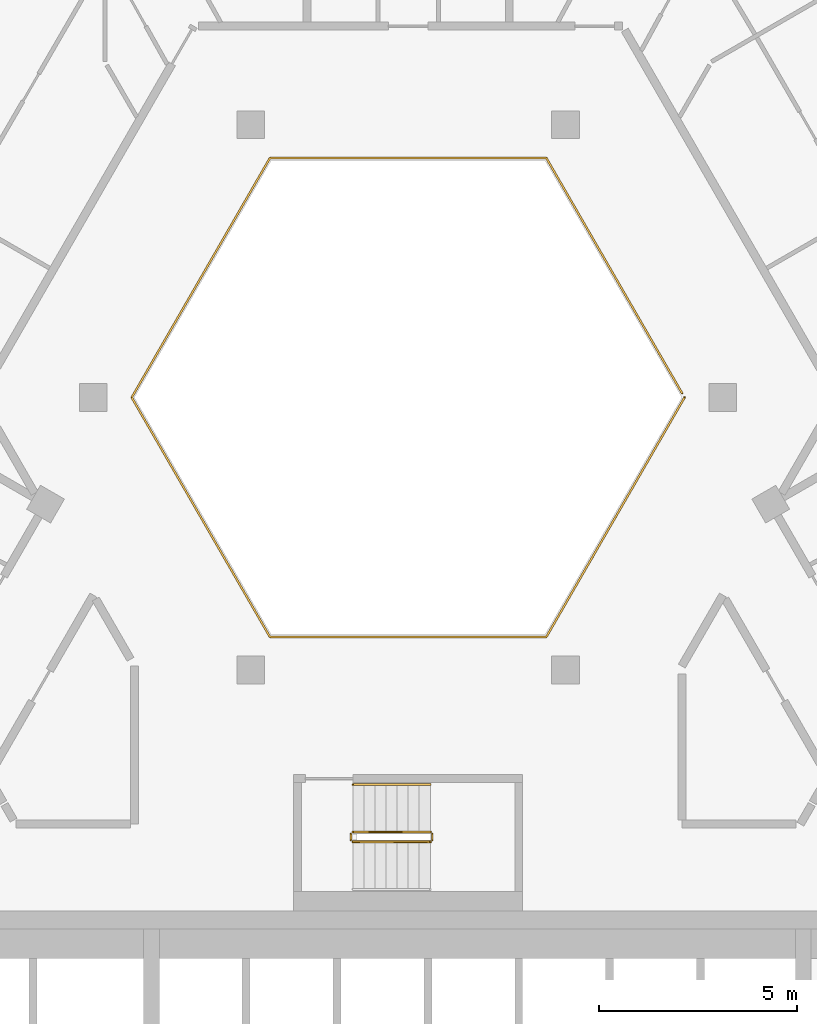
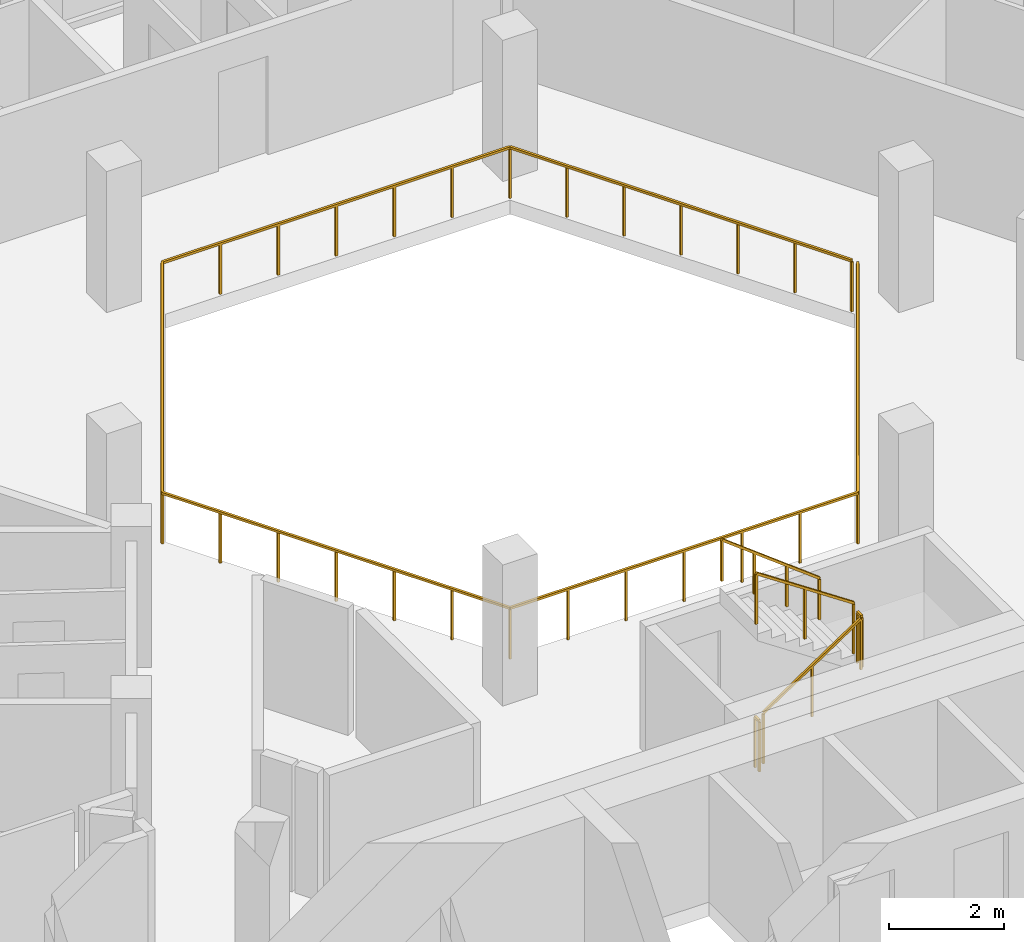
# One storey, part 13 of 15: 6 railings.
"""IFC4 building model written with IfcOpenShell, lengths in metres."""

from ifc_helpers import new_model, si_unit, direction, frame, origin, origin_2d, place, context, subcontext, project, spatial, rectangle, extrude, material, type_object, element, save


model = new_model("IFC4")

# Units and contexts
model_context = context("Model", 3, precision=1e-05, world=origin(), true_north=direction((0.0, 1.0)))
body_context = subcontext(model_context, "Body", "Model", "MODEL_VIEW")
ifc_project = project(units=[si_unit("LENGTHUNIT", "METRE"), si_unit("AREAUNIT", "SQUARE_METRE"), si_unit("VOLUMEUNIT", "CUBIC_METRE"), si_unit("PLANEANGLEUNIT", "RADIAN"), si_unit("MASSUNIT", "GRAM", prefix="KILO")], contexts=[model_context])

# Site, building, storey
site_placement = place(None, origin())
site = spatial("IfcSite", under=ifc_project, at=site_placement, CompositionType="ELEMENT")
building_placement = place(site_placement, origin())
building = spatial("IfcBuilding", under=site, at=building_placement, Name="Beryl Residences", CompositionType="ELEMENT")
storey_placement = place(building_placement, frame((0.0, 0.0, 205.800048828125)))
storey = spatial("IfcBuildingStorey", under=building, at=storey_placement, Name="L63", CompositionType="ELEMENT", Elevation=205.800048828125)

# Railings
ifc_material_1 = material(Name="Stainless steel balustrade with glass infill", Category="steel")
railing_type_1 = type_object("IfcRailingType", Name="EG1 edge guard 1100 mm", PredefinedType="GUARDRAIL", material=ifc_material_1)
railing_1_placement = place(storey_placement, frame((6.9970703125, 8.0, 0.0)))
element("IfcRailing", 1, at=railing_1_placement, inside=storey, type_object=railing_type_1, Name="L63 atrium guard", PredefinedType="GUARDRAIL", context=body_context, shape_type="SweptSolid", body=[
    extrude(rectangle(XDim=0.048095703125, YDim=0.048095703125, at=origin_2d()), frame((0.0, 0.0, 1.076171875), z_axis=(-0.499921796684, -0.866070549782, 0.0), x_axis=(0.866070549782, -0.499921796684, 0.0)), (0.0, 0.0, 1.0), 6.9970703125),
    extrude(rectangle(XDim=0.048095703125, YDim=0.048095703125, at=origin_2d()), frame((-3.498046875, -6.06005859375, 1.076171875), z_axis=(-1.0, 0.0, 0.0), x_axis=(0.0, -1.0, 0.0)), (0.0, 0.0, 1.0), 6.998046875),
    extrude(rectangle(XDim=0.048095703125, YDim=0.048095703125, at=origin_2d()), frame((-10.49609375, -6.06005859375, 1.076171875), z_axis=(-0.499921796684, 0.866070549782, 0.0), x_axis=(-0.866070549782, -0.499921796684, 0.0)), (0.0, 0.0, 1.0), 6.9970703125),
    extrude(rectangle(XDim=0.048095703125, YDim=0.048095703125, at=origin_2d()), frame((-13.994140625, 0.0, 1.076171875), z_axis=(0.499921796684, 0.866070549782, 0.0), x_axis=(-0.866070549782, 0.499921796684, 0.0)), (0.0, 0.0, 1.0), 6.9970703125),
    extrude(rectangle(XDim=0.048095703125, YDim=0.048095703125, at=origin_2d()), frame((-10.49609375, 6.06005859375, 1.076171875), z_axis=(1.0, 0.0, 0.0), x_axis=(0.0, 1.0, 0.0)), (0.0, 0.0, 1.0), 6.998046875),
    extrude(rectangle(XDim=0.048095703125, YDim=0.048095703125, at=origin_2d()), frame((-3.498046875, 6.06005859375, 1.076171875), z_axis=(0.499919131929, -0.866072087953, 0.0), x_axis=(0.866072087953, 0.499919131929, 0.0)), (0.0, 0.0, 1.0), 6.877197265625),
    extrude(rectangle(XDim=0.0419921875, YDim=0.0419921875, at=origin_2d()), origin(), (0.0, 0.0, 1.0), 1.052001953125),
    extrude(rectangle(XDim=0.0419921875, YDim=0.0419921875, at=origin_2d()), frame((-0.5830078125, -1.010009765625, 0.0)), (0.0, 0.0, 1.0), 1.052001953125),
    extrude(rectangle(XDim=0.0419921875, YDim=0.0419921875, at=origin_2d()), frame((-1.166015625, -2.02001953125, 0.0)), (0.0, 0.0, 1.0), 1.052001953125),
    extrude(rectangle(XDim=0.0419921875, YDim=0.0419921875, at=origin_2d()), frame((-1.7490234375, -3.030029296875, 0.0)), (0.0, 0.0, 1.0), 1.052001953125),
    extrude(rectangle(XDim=0.0419921875, YDim=0.0419921875, at=origin_2d()), frame((-2.33203125, -4.0400390625, 0.0)), (0.0, 0.0, 1.0), 1.052001953125),
    extrude(rectangle(XDim=0.0419921875, YDim=0.0419921875, at=origin_2d()), frame((-2.9150390625, -5.050048828125, 0.0)), (0.0, 0.0, 1.0), 1.052001953125),
    extrude(rectangle(XDim=0.0419921875, YDim=0.0419921875, at=origin_2d()), frame((-3.498046875, -6.06005859375, 0.0)), (0.0, 0.0, 1.0), 1.052001953125),
    extrude(rectangle(XDim=0.0419921875, YDim=0.0419921875, at=origin_2d()), frame((-4.664306640625, -6.06005859375, 0.0)), (0.0, 0.0, 1.0), 1.052001953125),
    extrude(rectangle(XDim=0.0419921875, YDim=0.0419921875, at=origin_2d()), frame((-5.830810546875, -6.06005859375, 0.0)), (0.0, 0.0, 1.0), 1.052001953125),
    extrude(rectangle(XDim=0.0419921875, YDim=0.0419921875, at=origin_2d()), frame((-6.9970703125, -6.06005859375, 0.0)), (0.0, 0.0, 1.0), 1.052001953125),
    extrude(rectangle(XDim=0.0419921875, YDim=0.0419921875, at=origin_2d()), frame((-8.163330078125, -6.06005859375, 0.0)), (0.0, 0.0, 1.0), 1.052001953125),
    extrude(rectangle(XDim=0.0419921875, YDim=0.0419921875, at=origin_2d()), frame((-9.329833984375, -6.06005859375, 0.0)), (0.0, 0.0, 1.0), 1.052001953125),
    extrude(rectangle(XDim=0.0419921875, YDim=0.0419921875, at=origin_2d()), frame((-10.49609375, -6.06005859375, 0.0)), (0.0, 0.0, 1.0), 1.052001953125),
    extrude(rectangle(XDim=0.0419921875, YDim=0.0419921875, at=origin_2d()), frame((-11.0791015625, -5.050048828125, 0.0)), (0.0, 0.0, 1.0), 1.052001953125),
    extrude(rectangle(XDim=0.0419921875, YDim=0.0419921875, at=origin_2d()), frame((-11.662109375, -4.0400390625, 0.0)), (0.0, 0.0, 1.0), 1.052001953125),
    extrude(rectangle(XDim=0.0419921875, YDim=0.0419921875, at=origin_2d()), frame((-12.2451171875, -3.030029296875, 0.0)), (0.0, 0.0, 1.0), 1.052001953125),
    extrude(rectangle(XDim=0.0419921875, YDim=0.0419921875, at=origin_2d()), frame((-12.828125, -2.02001953125, 0.0)), (0.0, 0.0, 1.0), 1.052001953125),
    extrude(rectangle(XDim=0.0419921875, YDim=0.0419921875, at=origin_2d()), frame((-13.4111328125, -1.010009765625, 0.0)), (0.0, 0.0, 1.0), 1.052001953125),
    extrude(rectangle(XDim=0.0419921875, YDim=0.0419921875, at=origin_2d()), frame((-13.994140625, 0.0, 0.0)), (0.0, 0.0, 1.0), 1.052001953125),
    extrude(rectangle(XDim=0.0419921875, YDim=0.0419921875, at=origin_2d()), frame((-13.4111328125, 1.010009765625, 0.0)), (0.0, 0.0, 1.0), 1.052001953125),
    extrude(rectangle(XDim=0.0419921875, YDim=0.0419921875, at=origin_2d()), frame((-12.828125, 2.02001953125, 0.0)), (0.0, 0.0, 1.0), 1.052001953125),
    extrude(rectangle(XDim=0.0419921875, YDim=0.0419921875, at=origin_2d()), frame((-12.2451171875, 3.030029296875, 0.0)), (0.0, 0.0, 1.0), 1.052001953125),
    extrude(rectangle(XDim=0.0419921875, YDim=0.0419921875, at=origin_2d()), frame((-11.662109375, 4.0400390625, 0.0)), (0.0, 0.0, 1.0), 1.052001953125),
    extrude(rectangle(XDim=0.0419921875, YDim=0.0419921875, at=origin_2d()), frame((-11.0791015625, 5.050048828125, 0.0)), (0.0, 0.0, 1.0), 1.052001953125),
    extrude(rectangle(XDim=0.0419921875, YDim=0.0419921875, at=origin_2d()), frame((-10.49609375, 6.06005859375, 0.0)), (0.0, 0.0, 1.0), 1.052001953125),
    extrude(rectangle(XDim=0.0419921875, YDim=0.0419921875, at=origin_2d()), frame((-9.329833984375, 6.06005859375, 0.0)), (0.0, 0.0, 1.0), 1.052001953125),
    extrude(rectangle(XDim=0.0419921875, YDim=0.0419921875, at=origin_2d()), frame((-8.163330078125, 6.06005859375, 0.0)), (0.0, 0.0, 1.0), 1.052001953125),
    extrude(rectangle(XDim=0.0419921875, YDim=0.0419921875, at=origin_2d()), frame((-6.9970703125, 6.06005859375, 0.0)), (0.0, 0.0, 1.0), 1.052001953125),
    extrude(rectangle(XDim=0.0419921875, YDim=0.0419921875, at=origin_2d()), frame((-5.830810546875, 6.06005859375, 0.0)), (0.0, 0.0, 1.0), 1.052001953125),
    extrude(rectangle(XDim=0.0419921875, YDim=0.0419921875, at=origin_2d()), frame((-4.664306640625, 6.06005859375, 0.0)), (0.0, 0.0, 1.0), 1.052001953125),
    extrude(rectangle(XDim=0.0419921875, YDim=0.0419921875, at=origin_2d()), frame((-3.498046875, 6.06005859375, 0.0)), (0.0, 0.0, 1.0), 1.052001953125),
    extrude(rectangle(XDim=0.0419921875, YDim=0.0419921875, at=origin_2d()), frame((-2.925048828125, 5.0673828125, 0.0)), (0.0, 0.0, 1.0), 1.052001953125),
    extrude(rectangle(XDim=0.0419921875, YDim=0.0419921875, at=origin_2d()), frame((-2.35205078125, 4.07470703125, 0.0)), (0.0, 0.0, 1.0), 1.052001953125),
    extrude(rectangle(XDim=0.0419921875, YDim=0.0419921875, at=origin_2d()), frame((-1.779052734375, 3.08203125, 0.0)), (0.0, 0.0, 1.0), 1.052001953125),
    extrude(rectangle(XDim=0.0419921875, YDim=0.0419921875, at=origin_2d()), frame((-1.2060546875, 2.08935546875, 0.0)), (0.0, 0.0, 1.0), 1.052001953125),
    extrude(rectangle(XDim=0.0419921875, YDim=0.0419921875, at=origin_2d()), frame((-0.633056640625, 1.0966796875, 0.0)), (0.0, 0.0, 1.0), 1.052001953125),
    extrude(rectangle(XDim=0.0419921875, YDim=0.0419921875, at=origin_2d()), frame((-0.06005859375, 0.10400390625, 0.0)), (0.0, 0.0, 1.0), 1.052001953125),
])
ifc_material_2 = material(Name="Stainless steel balustrade with glass infill", Category="steel")
railing_type_2 = type_object("IfcRailingType", Name="SG1 stair guard 1100 mm", PredefinedType="GUARDRAIL", material=ifc_material_2)
railing_2_placement = place(storey_placement, frame((-1.39990234375, -3.25, 0.1875)))
element("IfcRailing", 2, at=railing_2_placement, inside=storey, type_object=railing_type_2, Name="L63 ST-4 stair guard 1", PredefinedType="GUARDRAIL", context=body_context, shape_type="SweptSolid", body=[
    extrude(rectangle(XDim=0.048095703125, YDim=0.048095703125, at=origin_2d()), frame((0.0, 0.0, 1.076171875), z_axis=(0.830902050051, 0.0, 0.556418712142), x_axis=(0.0, 1.0, 0.0)), (0.0, 0.0, 1.0), 2.35888671875),
    extrude(rectangle(XDim=0.0419921875, YDim=0.0419921875, at=origin_2d()), origin(), (0.0, 0.0, 1.0), 1.052001953125),
    extrude(rectangle(XDim=0.0419921875, YDim=0.0419921875, at=origin_2d()), frame((0.97998046875, 0.0, 0.65625)), (0.0, 0.0, 1.0), 1.052001953125),
    extrude(rectangle(XDim=0.0419921875, YDim=0.0419921875, at=origin_2d()), frame((1.9599609375, 0.0, 1.3125)), (0.0, 0.0, 1.0), 1.052001953125),
])
railing_3_placement = place(storey_placement, frame((0.610107421875, -3.199951171875, 1.5)))
element("IfcRailing", 3, at=railing_3_placement, inside=storey, type_object=railing_type_2, Name="L63 ST-4 stair guard 2", PredefinedType="GUARDRAIL", context=body_context, shape_type="SweptSolid", body=[
    extrude(rectangle(XDim=0.048095703125, YDim=0.048095703125, at=origin_2d()), frame((0.0, 0.0, 1.076171875), z_axis=(0.0, 1.0, 0.0), x_axis=(-1.0, 0.0, 0.0)), (0.0, 0.0, 1.0), 0.14990234375),
    extrude(rectangle(XDim=0.0419921875, YDim=0.0419921875, at=origin_2d()), origin(), (0.0, 0.0, 1.0), 1.052001953125),
    extrude(rectangle(XDim=0.0419921875, YDim=0.0419921875, at=origin_2d()), frame((0.0, 0.14990234375, 0.0)), (0.0, 0.0, 1.0), 1.052001953125),
])
railing_4_placement = place(storey_placement, frame((0.56005859375, -3.0, 1.6875)))
element("IfcRailing", 4, at=railing_4_placement, inside=storey, type_object=railing_type_2, Name="L63 ST-4 stair guard 3", PredefinedType="GUARDRAIL", context=body_context, shape_type="SweptSolid", body=[
    extrude(rectangle(XDim=0.048095703125, YDim=0.048095703125, at=origin_2d()), frame((0.0, 0.0, 1.076171875), z_axis=(-0.830902050051, 0.0, 0.556418712142), x_axis=(0.0, -1.0, 0.0)), (0.0, 0.0, 1.0), 2.35888671875),
    extrude(rectangle(XDim=0.0419921875, YDim=0.0419921875, at=origin_2d()), origin(), (0.0, 0.0, 1.0), 1.052001953125),
    extrude(rectangle(XDim=0.0419921875, YDim=0.0419921875, at=origin_2d()), frame((-0.97998046875, 0.0, 0.65625)), (0.0, 0.0, 1.0), 1.052001953125),
    extrude(rectangle(XDim=0.0419921875, YDim=0.0419921875, at=origin_2d()), frame((-1.9599609375, 0.0, 1.3125)), (0.0, 0.0, 1.0), 1.052001953125),
])
railing_5_placement = place(storey_placement, frame((-1.449951171875, -3.199951171875, 0.0)))
element("IfcRailing", 5, at=railing_5_placement, inside=storey, type_object=railing_type_2, Name="L63 ST-4 stair guard 4", PredefinedType="GUARDRAIL", context=body_context, shape_type="SweptSolid", body=[
    extrude(rectangle(XDim=0.048095703125, YDim=0.048095703125, at=origin_2d()), frame((0.0, 0.0, 1.076171875), z_axis=(0.0, 1.0, 0.0), x_axis=(-1.0, 0.0, 0.0)), (0.0, 0.0, 1.0), 0.14990234375),
    extrude(rectangle(XDim=0.0419921875, YDim=0.0419921875, at=origin_2d()), origin(), (0.0, 0.0, 1.0), 1.052001953125),
    extrude(rectangle(XDim=0.0419921875, YDim=0.0419921875, at=origin_2d()), frame((0.0, 0.14990234375, 0.0)), (0.0, 0.0, 1.0), 1.052001953125),
])
ifc_material_3 = material(Name="Stainless steel handrail", Category="steel")
railing_type_3 = type_object("IfcRailingType", Name="SRL1 stair handrail 900 mm", PredefinedType="HANDRAIL", material=ifc_material_3)
railing_6_placement = place(storey_placement, frame((0.56005859375, -1.800048828125, 1.6875)))
element("IfcRailing", 6, at=railing_6_placement, inside=storey, type_object=railing_type_3, Name="L63 ST-4 stair handrail 2", PredefinedType="HANDRAIL", context=body_context, shape_type="SweptSolid", body=[
    extrude(rectangle(XDim=0.048095703125, YDim=0.048095703125, at=origin_2d()), frame((0.0, 0.0, 0.8759765625), z_axis=(-0.794121922505, 0.0, 0.607758481798), x_axis=(0.0, -1.0, 0.0)), (0.0, 0.0, 1.0), 2.468017578125),
    extrude(rectangle(XDim=0.0419921875, YDim=0.0419921875, at=origin_2d()), origin(), (0.0, 0.0, 1.0), 0.851806640625),
    extrude(rectangle(XDim=0.0419921875, YDim=0.0419921875, at=origin_2d()), frame((-0.6533203125, 0.0, 0.5)), (0.0, 0.0, 1.0), 0.851806640625),
    extrude(rectangle(XDim=0.0419921875, YDim=0.0419921875, at=origin_2d()), frame((-1.306640625, 0.0, 1.0)), (0.0, 0.0, 1.0), 0.851806640625),
    extrude(rectangle(XDim=0.0419921875, YDim=0.0419921875, at=origin_2d()), frame((-1.9599609375, 0.0, 1.5)), (0.0, 0.0, 1.0), 0.851806640625),
])

save(model, "model.ifc")
